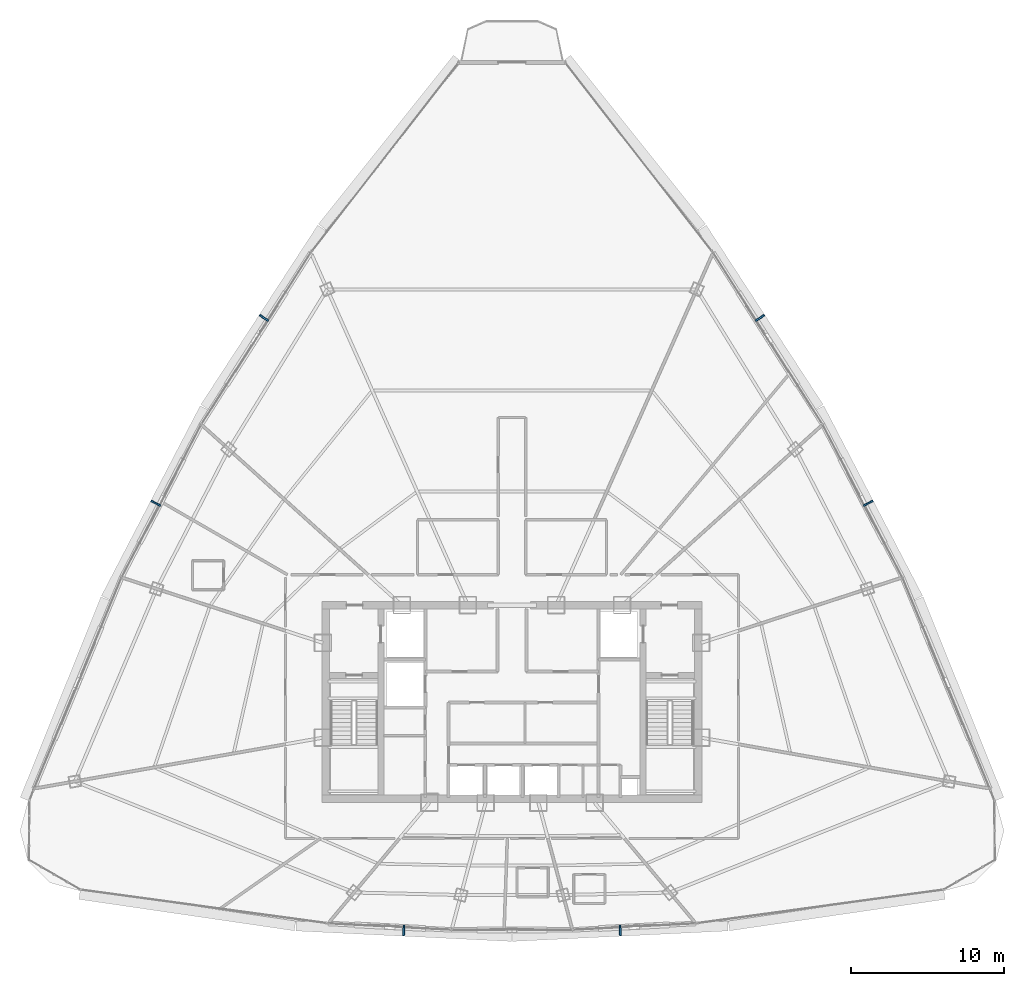
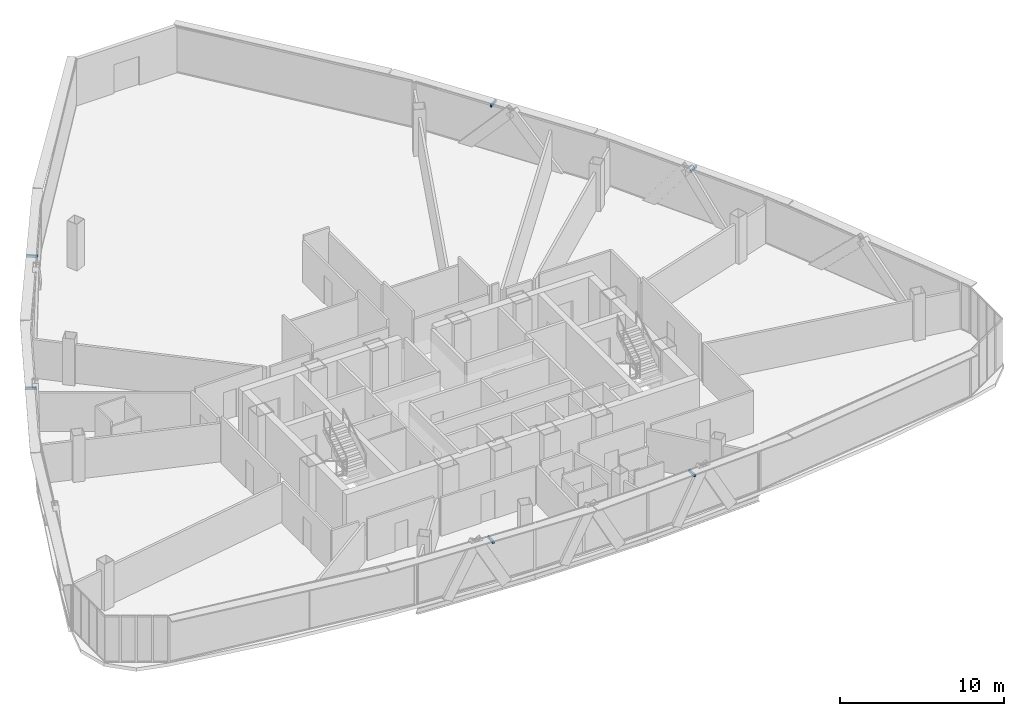
# One storey, part 37 of 40: 6 discrete accessories.
"""IFC4 building model written with IfcOpenShell, lengths in metres."""

from ifc_helpers import new_model, si_unit, direction, frame, origin, origin_2d, place, context, subcontext, project, spatial, rectangle, extrude, source, transform, mapped, material, type_object, element, save


model = new_model("IFC4")

# Units and contexts
model_context = context("Model", 3, precision=1e-05, world=origin(), true_north=direction((0.0, 1.0)))
body_context = subcontext(model_context, "Body", "Model", "MODEL_VIEW")
ifc_project = project(units=[si_unit("LENGTHUNIT", "METRE"), si_unit("AREAUNIT", "SQUARE_METRE"), si_unit("VOLUMEUNIT", "CUBIC_METRE"), si_unit("PLANEANGLEUNIT", "RADIAN"), si_unit("MASSUNIT", "GRAM", prefix="KILO"), si_unit("THERMODYNAMICTEMPERATUREUNIT", "KELVIN"), si_unit("POWERUNIT", "WATT")], contexts=[model_context])

# Site, building, storey
site_placement = place(None, origin())
site = spatial("IfcSite", under=ifc_project, at=site_placement, CompositionType="ELEMENT")
building_placement = place(site_placement, origin())
building = spatial("IfcBuilding", under=site, at=building_placement, Name="Yunzhuo Pagoda Commons", CompositionType="ELEMENT")
storey_placement = place(building_placement, frame((0.0, 0.0, 292.47998046875)))
storey = spatial("IfcBuildingStorey", under=building, at=storey_placement, Name="L73", CompositionType="ELEMENT", Elevation=292.47998046875)

# Discrete accessories
ifc_material = material(Name="Anodized aluminium 6063-T6", Category="aluminium")
discrete_accessory_type = type_object("IfcDiscreteAccessoryType", Name="BK-SUN1 Sunshade Outrigger Bracket", PredefinedType="BRACKET", material=ifc_material)
shared_shape = source(origin(), body_context, "Body", "SweptSolid", [
    extrude(rectangle(XDim=0.1201171875, YDim=0.679931640625, at=origin_2d()), origin(), (0.0, 0.0, 1.0), 0.179931640625),
])
for number, where, z_axis, x_axis, name in (
    (1, (40.9052734375, 18.862060546875, 3.26025390625), (0.0, 0.0, 1.0), (0.998818043775, -0.04860571396, 0.0), "L73 sunshade outrigger bracket F1.2"),
    (2, (55.0947265625, 18.862060546875, 3.26025390625), (0.0, 0.0, 1.0), (0.998818043775, 0.04860571396, 0.0), "L73 sunshade outrigger bracket F1.3"),
    (3, (71.359375, 46.885498046875, 3.26025390625), (0.0, 0.0, 1.0), (-0.461206683033, 0.88729273384, 0.0), "L73 sunshade outrigger bracket F2.2"),
    (4, (64.264404296875, 59.0400390625, 3.26025390625), (0.0, 0.0, 1.0), (-0.545853380833, 0.837880711458, 0.0), "L73 sunshade outrigger bracket F2.3"),
    (5, (31.735595703125, 59.0400390625, 3.26025390625), (0.0, 0.0, 1.0), (-0.545853380833, -0.837880711458, 0.0), "L73 sunshade outrigger bracket F3.2"),
    (6, (24.640625, 46.885498046875, 3.26025390625), (0.0, 0.0, 1.0), (-0.461206683033, -0.88729273384, 0.0), "L73 sunshade outrigger bracket F3.3"),
):
    element("IfcDiscreteAccessory", number, at=place(storey_placement, frame(where, z_axis=z_axis, x_axis=x_axis)), inside=storey, type_object=discrete_accessory_type, Name=name, PredefinedType="BRACKET", context=body_context, shape_type="MappedRepresentation", body=[
        mapped(shared_shape, transform((0.0, 0.0, 0.0), scale=1.0)),
    ])

save(model, "model.ifc")
